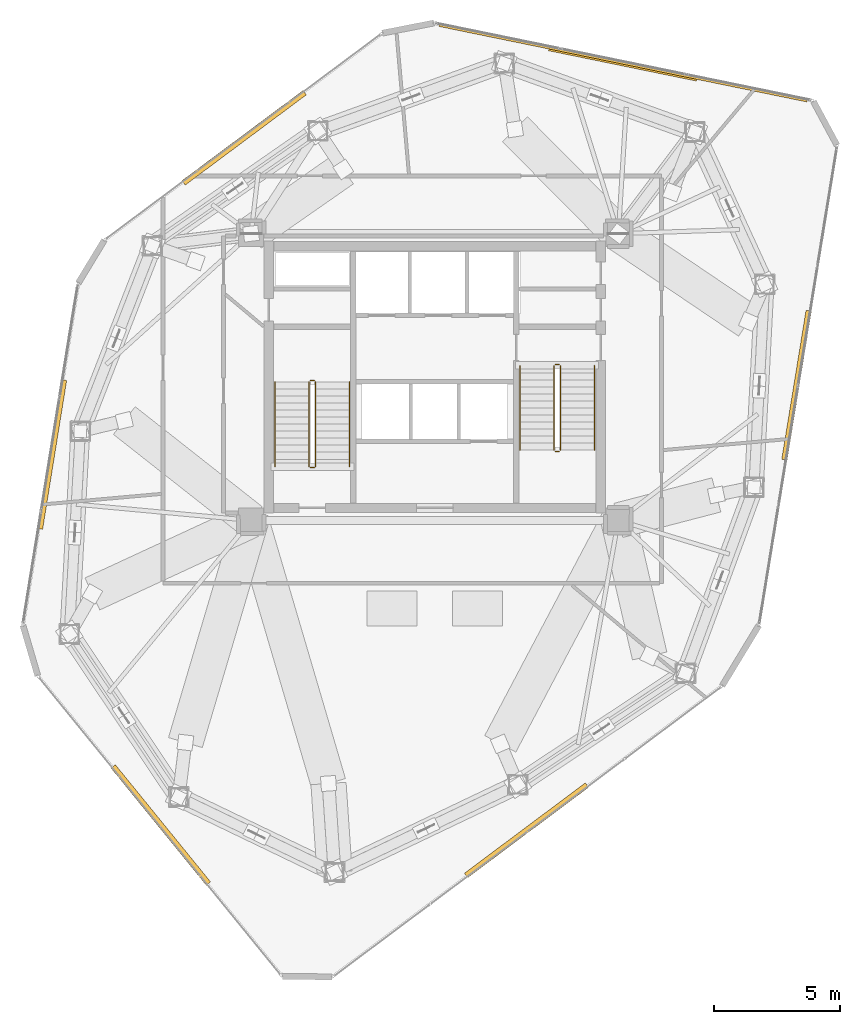
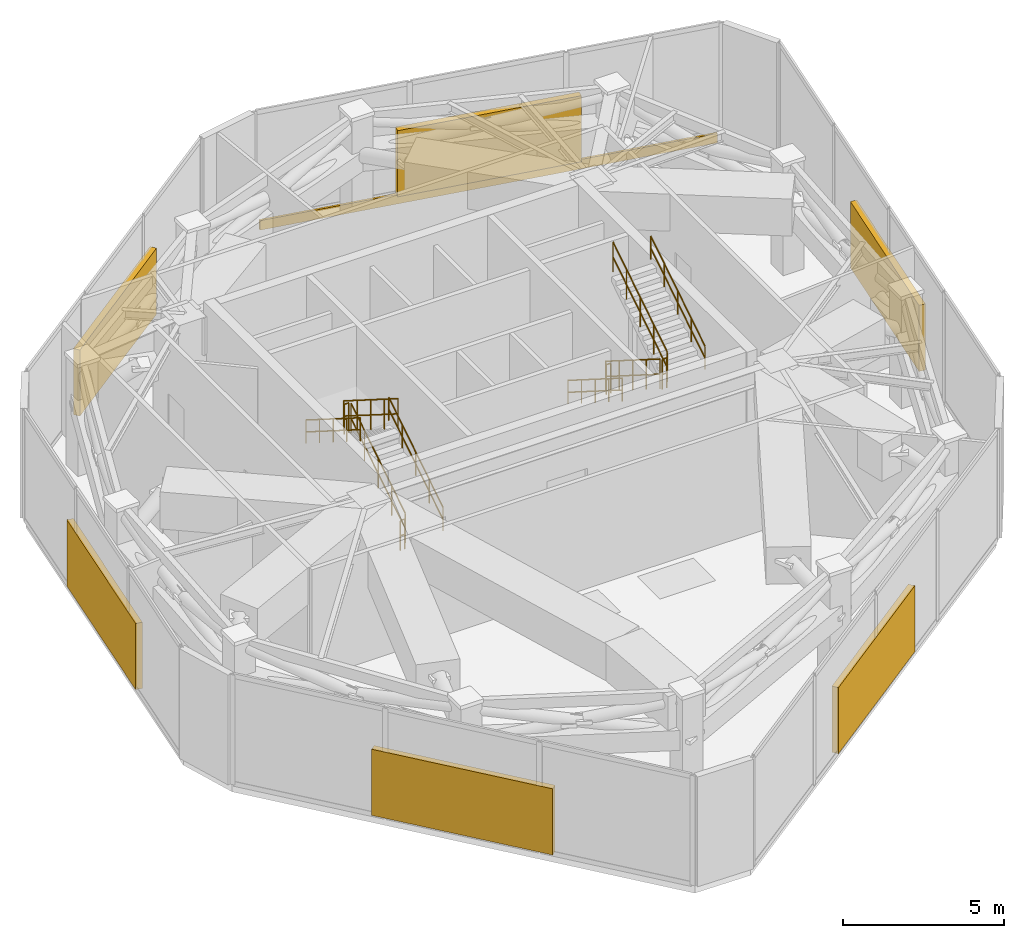
# One storey, part 19 of 19: 12 railings, 6 shading devices, 1 covering.
"""IFC4 building model written with IfcOpenShell, lengths in metres."""

from ifc_helpers import new_model, si_unit, direction, frame, origin, origin_2d, place, context, subcontext, project, spatial, rectangle, circle, extrude, source, transform, mapped, material, layer, layer_set, type_object, type_shapes, element, save


model = new_model("IFC4")

# Units and contexts
model_context = context("Model", 3, precision=1e-05, world=origin(), true_north=direction((0.0, 1.0)))
body_context = subcontext(model_context, "Body", "Model", "MODEL_VIEW")
ifc_project = project(units=[si_unit("LENGTHUNIT", "METRE"), si_unit("AREAUNIT", "SQUARE_METRE"), si_unit("VOLUMEUNIT", "CUBIC_METRE"), si_unit("PLANEANGLEUNIT", "RADIAN"), si_unit("MASSUNIT", "GRAM", prefix="KILO")], contexts=[model_context])

# Site, building, storey
site_placement = place(None, origin())
site = spatial("IfcSite", under=ifc_project, at=site_placement, CompositionType="ELEMENT")
building_placement = place(site_placement, origin())
building = spatial("IfcBuilding", under=site, at=building_placement, Name="Talar Marvaseh", CompositionType="ELEMENT")
storey_placement = place(building_placement, frame((0.0, 0.0, 236.199951171875)))
storey = spatial("IfcBuildingStorey", under=building, at=storey_placement, Name="L62", CompositionType="ELEMENT", Elevation=236.199951171875)

# Railings
ifc_material_1 = material(Name="Stainless Steel Grade 316", Category="steel")
railing_type_1 = type_object("IfcRailingType", Name="Brushed Stainless Wall Pitch Handrail 900", PredefinedType="HANDRAIL", material=ifc_material_1)
railing_1_placement = place(storey_placement, frame((22.610107421875, 27.64990234375, 0.177001953125)))
element("IfcRailing", 1, at=railing_1_placement, inside=storey, type_object=railing_type_1, Name="L62 ST-1 stair handrail 1", PredefinedType="HANDRAIL", context=body_context, shape_type="SweptSolid", body=[
    extrude(circle(Radius=0.02392578125, at=origin_2d()), frame((0.0, 0.0, 0.8759765625), z_axis=(0.0, 0.845389635667, 0.534150132366), x_axis=(-1.0, 0.0, 0.0)), (0.0, 0.0, 1.0), 3.974609375),
    extrude(circle(Radius=0.02392578125, at=origin_2d()), frame((0.0, 0.0, 0.42578125), z_axis=(0.0, 0.845389635667, 0.534150132366), x_axis=(-1.0, 0.0, 0.0)), (0.0, 0.0, 1.0), 3.974609375),
    extrude(circle(Radius=0.02099609375, at=origin_2d()), origin(), (0.0, 0.0, 1.0), 0.851806640625),
    extrude(circle(Radius=0.02099609375, at=origin_2d()), frame((0.0, 0.840087890625, 0.53076171875)), (0.0, 0.0, 1.0), 0.851806640625),
    extrude(circle(Radius=0.02099609375, at=origin_2d()), frame((0.0, 1.68017578125, 1.0615234375)), (0.0, 0.0, 1.0), 0.851806640625),
    extrude(circle(Radius=0.02099609375, at=origin_2d()), frame((0.0, 2.52001953125, 1.59228515625)), (0.0, 0.0, 1.0), 0.851806640625),
    extrude(circle(Radius=0.02099609375, at=origin_2d()), frame((0.0, 3.360107421875, 2.123046875)), (0.0, 0.0, 1.0), 0.851806640625),
])
railing_2_placement = place(storey_placement, frame((19.64990234375, 31.010009765625, 2.47705078125)))
element("IfcRailing", 2, at=railing_2_placement, inside=storey, type_object=railing_type_1, Name="L62 ST-1 stair handrail 2", PredefinedType="HANDRAIL", context=body_context, shape_type="SweptSolid", body=[
    extrude(circle(Radius=0.02392578125, at=origin_2d()), frame((0.0, 0.0, 0.8759765625), z_axis=(0.0, -0.845389635667, 0.534150132366), x_axis=(1.0, 0.0, 0.0)), (0.0, 0.0, 1.0), 3.974609375),
    extrude(circle(Radius=0.02392578125, at=origin_2d()), frame((0.0, 0.0, 0.42578125), z_axis=(0.0, -0.845389635667, 0.534150132366), x_axis=(1.0, 0.0, 0.0)), (0.0, 0.0, 1.0), 3.974609375),
    extrude(circle(Radius=0.02099609375, at=origin_2d()), origin(), (0.0, 0.0, 1.0), 0.851806640625),
    extrude(circle(Radius=0.02099609375, at=origin_2d()), frame((0.0, -0.840087890625, 0.53076171875)), (0.0, 0.0, 1.0), 0.851806640625),
    extrude(circle(Radius=0.02099609375, at=origin_2d()), frame((0.0, -1.68017578125, 1.0615234375)), (0.0, 0.0, 1.0), 0.851806640625),
    extrude(circle(Radius=0.02099609375, at=origin_2d()), frame((0.0, -2.52001953125, 1.59228515625)), (0.0, 0.0, 1.0), 0.851806640625),
    extrude(circle(Radius=0.02099609375, at=origin_2d()), frame((0.0, -3.360107421875, 2.123046875)), (0.0, 0.0, 1.0), 0.851806640625),
])
railing_3_placement = place(storey_placement, frame((29.389892578125, 31.64990234375, 0.177001953125)))
element("IfcRailing", 3, at=railing_3_placement, inside=storey, type_object=railing_type_1, Name="L62 ST-2 stair handrail 1", PredefinedType="HANDRAIL", context=body_context, shape_type="SweptSolid", body=[
    extrude(circle(Radius=0.02392578125, at=origin_2d()), frame((0.0, 0.0, 0.8759765625), z_axis=(0.0, -0.845372108799, 0.534177870812), x_axis=(1.0, 0.0, 0.0)), (0.0, 0.0, 1.0), 3.974365234375),
    extrude(circle(Radius=0.02392578125, at=origin_2d()), frame((0.0, 0.0, 0.42578125), z_axis=(0.0, -0.845372108799, 0.534177870812), x_axis=(1.0, 0.0, 0.0)), (0.0, 0.0, 1.0), 3.974365234375),
    extrude(circle(Radius=0.02099609375, at=origin_2d()), origin(), (0.0, 0.0, 1.0), 0.851806640625),
    extrude(circle(Radius=0.02099609375, at=origin_2d()), frame((0.0, -0.83984375, 0.53076171875)), (0.0, 0.0, 1.0), 0.851806640625),
    extrude(circle(Radius=0.02099609375, at=origin_2d()), frame((0.0, -1.679931640625, 1.0615234375)), (0.0, 0.0, 1.0), 0.851806640625),
    extrude(circle(Radius=0.02099609375, at=origin_2d()), frame((0.0, -2.52001953125, 1.59228515625)), (0.0, 0.0, 1.0), 0.851806640625),
    extrude(circle(Radius=0.02099609375, at=origin_2d()), frame((0.0, -3.35986328125, 2.123046875)), (0.0, 0.0, 1.0), 0.851806640625),
])
railing_4_placement = place(storey_placement, frame((32.35009765625, 28.2900390625, 2.47705078125)))
element("IfcRailing", 4, at=railing_4_placement, inside=storey, type_object=railing_type_1, Name="L62 ST-2 stair handrail 2", PredefinedType="HANDRAIL", context=body_context, shape_type="SweptSolid", body=[
    extrude(circle(Radius=0.02392578125, at=origin_2d()), frame((0.0, 0.0, 0.8759765625), z_axis=(0.0, 0.845372108799, 0.534177870812), x_axis=(-1.0, 0.0, 0.0)), (0.0, 0.0, 1.0), 3.974365234375),
    extrude(circle(Radius=0.02392578125, at=origin_2d()), frame((0.0, 0.0, 0.42578125), z_axis=(0.0, 0.845372108799, 0.534177870812), x_axis=(-1.0, 0.0, 0.0)), (0.0, 0.0, 1.0), 3.974365234375),
    extrude(circle(Radius=0.02099609375, at=origin_2d()), origin(), (0.0, 0.0, 1.0), 0.851806640625),
    extrude(circle(Radius=0.02099609375, at=origin_2d()), frame((0.0, 0.83984375, 0.53076171875)), (0.0, 0.0, 1.0), 0.851806640625),
    extrude(circle(Radius=0.02099609375, at=origin_2d()), frame((0.0, 1.679931640625, 1.0615234375)), (0.0, 0.0, 1.0), 0.851806640625),
    extrude(circle(Radius=0.02099609375, at=origin_2d()), frame((0.0, 2.52001953125, 1.59228515625)), (0.0, 0.0, 1.0), 0.851806640625),
    extrude(circle(Radius=0.02099609375, at=origin_2d()), frame((0.0, 3.35986328125, 2.123046875)), (0.0, 0.0, 1.0), 0.851806640625),
])
railing_type_2 = type_object("IfcRailingType", Name="Painted Steel Core Stair Well Guardrail 1150", PredefinedType="GUARDRAIL", material=ifc_material_1)
railing_5_placement = place(storey_placement, frame((21.260009765625, 27.64990234375, 0.177001953125)))
element("IfcRailing", 5, at=railing_5_placement, inside=storey, type_object=railing_type_2, Name="L62 ST-1 stair guard 1", PredefinedType="GUARDRAIL", context=body_context, shape_type="SweptSolid", body=[
    extrude(circle(Radius=0.02392578125, at=origin_2d()), frame((0.0, 0.0, 1.1259765625), z_axis=(0.0, 0.845389635667, 0.534150132366), x_axis=(-1.0, 0.0, 0.0)), (0.0, 0.0, 1.0), 3.974609375),
    extrude(circle(Radius=0.02392578125, at=origin_2d()), frame((0.0, 0.0, 0.55078125), z_axis=(0.0, 0.845389635667, 0.534150132366), x_axis=(-1.0, 0.0, 0.0)), (0.0, 0.0, 1.0), 3.974609375),
    extrude(circle(Radius=0.02099609375, at=origin_2d()), origin(), (0.0, 0.0, 1.0), 1.101806640625),
    extrude(circle(Radius=0.02099609375, at=origin_2d()), frame((0.0, 0.840087890625, 0.53076171875)), (0.0, 0.0, 1.0), 1.101806640625),
    extrude(circle(Radius=0.02099609375, at=origin_2d()), frame((0.0, 1.68017578125, 1.0615234375)), (0.0, 0.0, 1.0), 1.101806640625),
    extrude(circle(Radius=0.02099609375, at=origin_2d()), frame((0.0, 2.52001953125, 1.59228515625)), (0.0, 0.0, 1.0), 1.101806640625),
    extrude(circle(Radius=0.02099609375, at=origin_2d()), frame((0.0, 3.360107421875, 2.123046875)), (0.0, 0.0, 1.0), 1.101806640625),
])
railing_6_placement = place(storey_placement, frame((21.2099609375, 31.06005859375, 2.300048828125)))
element("IfcRailing", 6, at=railing_6_placement, inside=storey, type_object=railing_type_2, Name="L62 ST-1 stair guard 2", PredefinedType="GUARDRAIL", context=body_context, shape_type="SweptSolid", body=[
    extrude(circle(Radius=0.02392578125, at=origin_2d()), frame((0.0, 0.0, 1.1259765625), z_axis=(-1.0, 0.0, 0.0), x_axis=(0.0, -1.0, 0.0)), (0.0, 0.0, 1.0), 0.159912109375),
    extrude(circle(Radius=0.02392578125, at=origin_2d()), frame((0.0, 0.0, 0.55078125), z_axis=(-1.0, 0.0, 0.0), x_axis=(0.0, -1.0, 0.0)), (0.0, 0.0, 1.0), 0.159912109375),
    extrude(circle(Radius=0.02099609375, at=origin_2d()), origin(), (0.0, 0.0, 1.0), 1.101806640625),
    extrude(circle(Radius=0.02099609375, at=origin_2d()), frame((-0.159912109375, 0.0, 0.0)), (0.0, 0.0, 1.0), 1.101806640625),
])
railing_7_placement = place(storey_placement, frame((21.0, 31.010009765625, 2.47705078125)))
element("IfcRailing", 7, at=railing_7_placement, inside=storey, type_object=railing_type_2, Name="L62 ST-1 stair guard 3", PredefinedType="GUARDRAIL", context=body_context, shape_type="SweptSolid", body=[
    extrude(circle(Radius=0.02392578125, at=origin_2d()), frame((0.0, 0.0, 1.1259765625), z_axis=(0.0, -0.845389635667, 0.534150132366), x_axis=(1.0, 0.0, 0.0)), (0.0, 0.0, 1.0), 3.974609375),
    extrude(circle(Radius=0.02392578125, at=origin_2d()), frame((0.0, 0.0, 0.55078125), z_axis=(0.0, -0.845389635667, 0.534150132366), x_axis=(1.0, 0.0, 0.0)), (0.0, 0.0, 1.0), 3.974609375),
    extrude(circle(Radius=0.02099609375, at=origin_2d()), origin(), (0.0, 0.0, 1.0), 1.101806640625),
    extrude(circle(Radius=0.02099609375, at=origin_2d()), frame((0.0, -0.840087890625, 0.53076171875)), (0.0, 0.0, 1.0), 1.101806640625),
    extrude(circle(Radius=0.02099609375, at=origin_2d()), frame((0.0, -1.68017578125, 1.0615234375)), (0.0, 0.0, 1.0), 1.101806640625),
    extrude(circle(Radius=0.02099609375, at=origin_2d()), frame((0.0, -2.52001953125, 1.59228515625)), (0.0, 0.0, 1.0), 1.101806640625),
    extrude(circle(Radius=0.02099609375, at=origin_2d()), frame((0.0, -3.360107421875, 2.123046875)), (0.0, 0.0, 1.0), 1.101806640625),
])
railing_8_placement = place(storey_placement, frame((21.2099609375, 27.60009765625, 0.0)))
element("IfcRailing", 8, at=railing_8_placement, inside=storey, type_object=railing_type_2, Name="L62 ST-1 stair guard 4", PredefinedType="GUARDRAIL", context=body_context, shape_type="SweptSolid", body=[
    extrude(circle(Radius=0.02392578125, at=origin_2d()), frame((0.0, 0.0, 1.1259765625), z_axis=(-1.0, 0.0, 0.0), x_axis=(0.0, -1.0, 0.0)), (0.0, 0.0, 1.0), 0.159912109375),
    extrude(circle(Radius=0.02392578125, at=origin_2d()), frame((0.0, 0.0, 0.55078125), z_axis=(-1.0, 0.0, 0.0), x_axis=(0.0, -1.0, 0.0)), (0.0, 0.0, 1.0), 0.159912109375),
    extrude(circle(Radius=0.02099609375, at=origin_2d()), origin(), (0.0, 0.0, 1.0), 1.101806640625),
    extrude(circle(Radius=0.02099609375, at=origin_2d()), frame((-0.159912109375, 0.0, 0.0)), (0.0, 0.0, 1.0), 1.101806640625),
])
railing_9_placement = place(storey_placement, frame((30.739990234375, 31.64990234375, 0.177001953125)))
element("IfcRailing", 9, at=railing_9_placement, inside=storey, type_object=railing_type_2, Name="L62 ST-2 stair guard 1", PredefinedType="GUARDRAIL", context=body_context, shape_type="SweptSolid", body=[
    extrude(circle(Radius=0.02392578125, at=origin_2d()), frame((0.0, 0.0, 1.1259765625), z_axis=(0.0, -0.845372108799, 0.534177870812), x_axis=(1.0, 0.0, 0.0)), (0.0, 0.0, 1.0), 3.974365234375),
    extrude(circle(Radius=0.02392578125, at=origin_2d()), frame((0.0, 0.0, 0.55078125), z_axis=(0.0, -0.845372108799, 0.534177870812), x_axis=(1.0, 0.0, 0.0)), (0.0, 0.0, 1.0), 3.974365234375),
    extrude(circle(Radius=0.02099609375, at=origin_2d()), origin(), (0.0, 0.0, 1.0), 1.101806640625),
    extrude(circle(Radius=0.02099609375, at=origin_2d()), frame((0.0, -0.83984375, 0.53076171875)), (0.0, 0.0, 1.0), 1.101806640625),
    extrude(circle(Radius=0.02099609375, at=origin_2d()), frame((0.0, -1.679931640625, 1.0615234375)), (0.0, 0.0, 1.0), 1.101806640625),
    extrude(circle(Radius=0.02099609375, at=origin_2d()), frame((0.0, -2.52001953125, 1.59228515625)), (0.0, 0.0, 1.0), 1.101806640625),
    extrude(circle(Radius=0.02099609375, at=origin_2d()), frame((0.0, -3.35986328125, 2.123046875)), (0.0, 0.0, 1.0), 1.101806640625),
])
railing_10_placement = place(storey_placement, frame((30.7900390625, 28.239990234375, 2.300048828125)))
element("IfcRailing", 10, at=railing_10_placement, inside=storey, type_object=railing_type_2, Name="L62 ST-2 stair guard 2", PredefinedType="GUARDRAIL", context=body_context, shape_type="SweptSolid", body=[
    extrude(circle(Radius=0.02392578125, at=origin_2d()), frame((0.0, 0.0, 1.1259765625), z_axis=(1.0, 0.0, 0.0), x_axis=(0.0, 1.0, 0.0)), (0.0, 0.0, 1.0), 0.159912109375),
    extrude(circle(Radius=0.02392578125, at=origin_2d()), frame((0.0, 0.0, 0.55078125), z_axis=(1.0, 0.0, 0.0), x_axis=(0.0, 1.0, 0.0)), (0.0, 0.0, 1.0), 0.159912109375),
    extrude(circle(Radius=0.02099609375, at=origin_2d()), origin(), (0.0, 0.0, 1.0), 1.101806640625),
    extrude(circle(Radius=0.02099609375, at=origin_2d()), frame((0.159912109375, 0.0, 0.0)), (0.0, 0.0, 1.0), 1.101806640625),
])
railing_11_placement = place(storey_placement, frame((31.0, 28.2900390625, 2.47705078125)))
element("IfcRailing", 11, at=railing_11_placement, inside=storey, type_object=railing_type_2, Name="L62 ST-2 stair guard 3", PredefinedType="GUARDRAIL", context=body_context, shape_type="SweptSolid", body=[
    extrude(circle(Radius=0.02392578125, at=origin_2d()), frame((0.0, 0.0, 1.1259765625), z_axis=(0.0, 0.845372108799, 0.534177870812), x_axis=(-1.0, 0.0, 0.0)), (0.0, 0.0, 1.0), 3.974365234375),
    extrude(circle(Radius=0.02392578125, at=origin_2d()), frame((0.0, 0.0, 0.55078125), z_axis=(0.0, 0.845372108799, 0.534177870812), x_axis=(-1.0, 0.0, 0.0)), (0.0, 0.0, 1.0), 3.974365234375),
    extrude(circle(Radius=0.02099609375, at=origin_2d()), origin(), (0.0, 0.0, 1.0), 1.101806640625),
    extrude(circle(Radius=0.02099609375, at=origin_2d()), frame((0.0, 0.83984375, 0.53076171875)), (0.0, 0.0, 1.0), 1.101806640625),
    extrude(circle(Radius=0.02099609375, at=origin_2d()), frame((0.0, 1.679931640625, 1.0615234375)), (0.0, 0.0, 1.0), 1.101806640625),
    extrude(circle(Radius=0.02099609375, at=origin_2d()), frame((0.0, 2.52001953125, 1.59228515625)), (0.0, 0.0, 1.0), 1.101806640625),
    extrude(circle(Radius=0.02099609375, at=origin_2d()), frame((0.0, 3.35986328125, 2.123046875)), (0.0, 0.0, 1.0), 1.101806640625),
])
railing_12_placement = place(storey_placement, frame((30.7900390625, 31.699951171875, 0.0)))
element("IfcRailing", 12, at=railing_12_placement, inside=storey, type_object=railing_type_2, Name="L62 ST-2 stair guard 4", PredefinedType="GUARDRAIL", context=body_context, shape_type="SweptSolid", body=[
    extrude(circle(Radius=0.02392578125, at=origin_2d()), frame((0.0, 0.0, 1.1259765625), z_axis=(1.0, 0.0, 0.0), x_axis=(0.0, 1.0, 0.0)), (0.0, 0.0, 1.0), 0.159912109375),
    extrude(circle(Radius=0.02392578125, at=origin_2d()), frame((0.0, 0.0, 0.55078125), z_axis=(1.0, 0.0, 0.0), x_axis=(0.0, 1.0, 0.0)), (0.0, 0.0, 1.0), 0.159912109375),
    extrude(circle(Radius=0.02099609375, at=origin_2d()), origin(), (0.0, 0.0, 1.0), 1.101806640625),
    extrude(circle(Radius=0.02099609375, at=origin_2d()), frame((0.159912109375, 0.0, 0.0)), (0.0, 0.0, 1.0), 1.101806640625),
])

# Shading devices
ifc_material_2 = material(Name="Anodised Champagne Bronze Aluminium", Category="aluminium")
shading_device_type = type_object("IfcShadingDeviceType", Name="Acoustic Weatherproof Plant Louvre Bank", PredefinedType="USERDEFINED", material=ifc_material_2)
shared_shape_1 = source(origin(), body_context, "Body", "SweptSolid", [
    extrude(rectangle(XDim=6.0, YDim=0.219970703125, at=origin_2d()), origin(), (0.0, 0.0, 1.0), 2.5),
])
type_shapes(shading_device_type, [shared_shape_1])
for number, where, z_axis, x_axis, name in (
    (13, (15.108642578125, 13.38818359375, 0.0), (0.0, 0.0, 1.0), (-0.630675807431, 0.776046407067, 0.0), "L62 Acoustic Plant Louvre Screen"),
    (14, (10.77880859375, 28.122314453125, 0.0), (0.0, 0.0, 1.0), (0.159536602398, 0.987192013995, 0.0), "L62 Acoustic Plant Louvre Screen"),
    (15, (18.419921875, 40.714111328125, 0.0), (0.0, 0.0, 1.0), (0.801984205923, 0.597345238075, 0.0), "L62 Acoustic Plant Louvre Screen"),
    (16, (33.48828125, 43.677001953125, 0.0), (0.0, 0.0, 1.0), (0.979575249599, -0.201077921146, 0.0), "L62 Acoustic Plant Louvre Screen"),
    (17, (40.3876953125, 30.875732421875, 0.0), (0.0, 0.0, 1.0), (-0.160914826518, -0.986968296657, 0.0), "L62 Acoustic Plant Louvre Screen"),
    (18, (29.649169921875, 13.17919921875, 0.0), (0.0, 0.0, 1.0), (-0.801149373145, -0.598464436629, 0.0), "L62 Acoustic Plant Louvre Screen"),
):
    element("IfcShadingDevice", number, at=place(storey_placement, frame(where, z_axis=z_axis, x_axis=x_axis)), inside=storey, type_object=shading_device_type, Name=name, ObjectType="LOUVRE", PredefinedType="USERDEFINED", context=body_context, shape_type="MappedRepresentation", body=[
        mapped(shared_shape_1, transform((0.0, 0.0, 0.0), x_axis=(1.0, 0.0, 0.0), y_axis=(0.0, 1.0, 0.0), z_axis=(0.0, 0.0, 1.0), scale=1.0)),
    ])

# Covering
ifc_material_3 = material(Name="Precast concrete C45/55", Category="concrete")
ifc_layer = layer(ifc_material_3, 0.080078125)
ifc_layer_set = layer_set([ifc_layer], Name="Precast concrete C45/55")
covering_type = type_object("IfcCoveringType", Name="Precast Limestone Spandrel Cladding Band", PredefinedType="CLADDING", material=ifc_layer_set)
shared_shape_2 = source(origin(), body_context, "Body", "SweptSolid", [
    extrude(rectangle(XDim=14.93896484375, YDim=0.080078125, at=origin_2d()), origin(), (0.0, 0.0, 1.0), 0.360107421875),
])
type_shapes(covering_type, [shared_shape_2])
covering_placement = place(storey_placement, frame((33.48828125, 43.677001953125, -0.31982421875), z_axis=(0.0, 0.0, 1.0), x_axis=(0.979575249599, -0.201077921146, 0.0)))
element("IfcCovering", 19, at=covering_placement, inside=storey, type_object=covering_type, Name="L62 Precast Limestone Slab-Edge Spandrel Band", PredefinedType="CLADDING", context=body_context, shape_type="MappedRepresentation", body=[
    mapped(shared_shape_2, transform((0.0, 0.0, 0.0), x_axis=(1.0, 0.0, 0.0), y_axis=(0.0, 1.0, 0.0), z_axis=(0.0, 0.0, 1.0), scale=1.0)),
])

save(model, "model.ifc")
